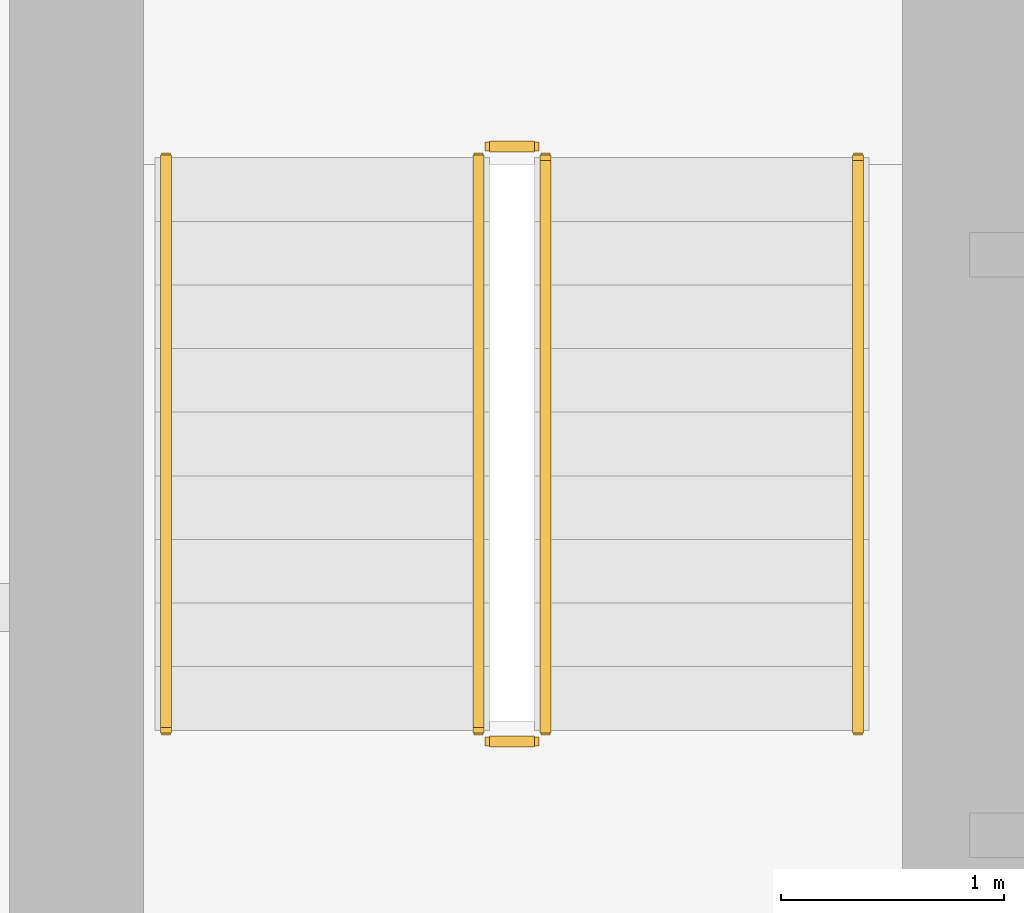
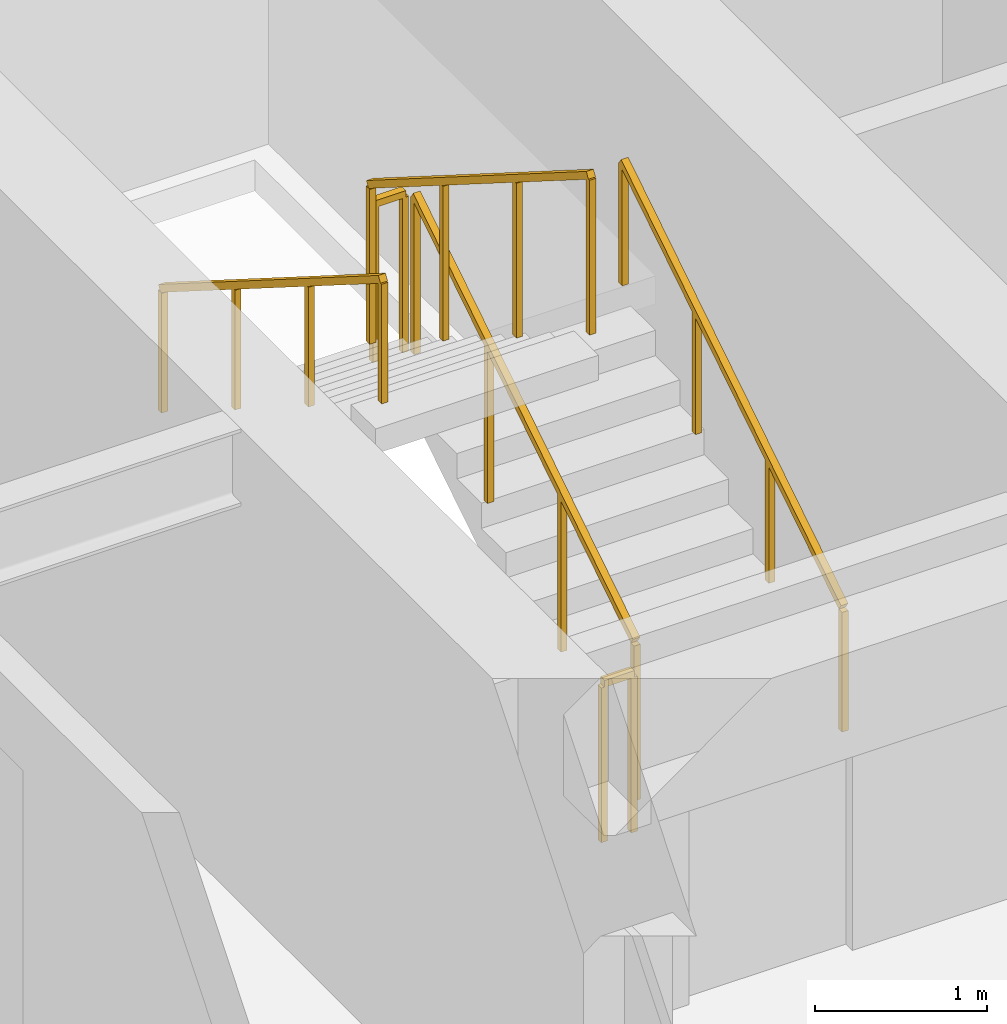
# One storey, part 24 of 26: 6 railings.
"""IFC4 building model written with IfcOpenShell, lengths in metres."""

from ifc_helpers import new_model, si_unit, direction, frame, origin, origin_2d, place, context, subcontext, project, spatial, rectangle, extrude, material, type_object, element, save


model = new_model("IFC4")

# Units and contexts
model_context = context("Model", 3, precision=1e-05, world=origin(), true_north=direction((0.0, 1.0)))
body_context = subcontext(model_context, "Body", "Model", "MODEL_VIEW")
ifc_project = project(units=[si_unit("LENGTHUNIT", "METRE"), si_unit("AREAUNIT", "SQUARE_METRE"), si_unit("VOLUMEUNIT", "CUBIC_METRE"), si_unit("PLANEANGLEUNIT", "RADIAN"), si_unit("MASSUNIT", "GRAM", prefix="KILO")], contexts=[model_context])

# Site, building, storey
site_placement = place(None, origin())
site = spatial("IfcSite", under=ifc_project, at=site_placement, CompositionType="ELEMENT")
building_placement = place(site_placement, origin())
building = spatial("IfcBuilding", under=site, at=building_placement, Name="Sarneth Arch Tower", CompositionType="ELEMENT")
storey_placement = place(building_placement, frame((0.0, 0.0, 39.0)))
storey = spatial("IfcBuildingStorey", under=building, at=storey_placement, Name="L08", CompositionType="ELEMENT", Elevation=39.0)

# Railings
ifc_material_1 = material(Name="Brushed Stainless Steel 304 tubular handrail", Category="steel")
railing_type_1 = type_object("IfcRailingType", Name="RAIL-HANDRAIL-900", PredefinedType="HANDRAIL", material=ifc_material_1)
railing_1_placement = place(storey_placement, frame((40.5, 41.449951171875, 0.179931640625)))
element("IfcRailing", 1, at=railing_1_placement, inside=storey, type_object=railing_type_1, Name="L08 ST-1 stair handrail 1", PredefinedType="HANDRAIL", context=body_context, shape_type="SweptSolid", body=[
    extrude(rectangle(XDim=0.048095703125, YDim=0.048095703125, at=origin_2d()), frame((0.0, 0.0, 0.8759765625), z_axis=(0.0, 0.845465955043, 0.534029323973), x_axis=(-1.0, 0.0, 0.0)), (0.0, 0.0, 1.0), 3.03369140625),
    extrude(rectangle(XDim=0.0419921875, YDim=0.0419921875, at=origin_2d()), origin(), (0.0, 0.0, 1.0), 0.851806640625),
    extrude(rectangle(XDim=0.0419921875, YDim=0.0419921875, at=origin_2d()), frame((0.0, 0.85498046875, 0.5400390625)), (0.0, 0.0, 1.0), 0.851806640625),
    extrude(rectangle(XDim=0.0419921875, YDim=0.0419921875, at=origin_2d()), frame((0.0, 1.7099609375, 1.080078125)), (0.0, 0.0, 1.0), 0.851806640625),
    extrude(rectangle(XDim=0.0419921875, YDim=0.0419921875, at=origin_2d()), frame((0.0, 2.56494140625, 1.6201171875)), (0.0, 0.0, 1.0), 0.851806640625),
])
railing_2_placement = place(storey_placement, frame((37.39990234375, 44.014892578125, 1.97998046875)))
element("IfcRailing", 2, at=railing_2_placement, inside=storey, type_object=railing_type_1, Name="L08 ST-1 stair handrail 2", PredefinedType="HANDRAIL", context=body_context, shape_type="SweptSolid", body=[
    extrude(rectangle(XDim=0.048095703125, YDim=0.048095703125, at=origin_2d()), frame((0.0, 0.0, 0.8759765625), z_axis=(0.0, -0.845465955043, 0.534029323973), x_axis=(1.0, 0.0, 0.0)), (0.0, 0.0, 1.0), 3.03369140625),
    extrude(rectangle(XDim=0.0419921875, YDim=0.0419921875, at=origin_2d()), origin(), (0.0, 0.0, 1.0), 0.851806640625),
    extrude(rectangle(XDim=0.0419921875, YDim=0.0419921875, at=origin_2d()), frame((0.0, -0.85498046875, 0.5400390625)), (0.0, 0.0, 1.0), 0.851806640625),
    extrude(rectangle(XDim=0.0419921875, YDim=0.0419921875, at=origin_2d()), frame((0.0, -1.7099609375, 1.080078125)), (0.0, 0.0, 1.0), 0.851806640625),
    extrude(rectangle(XDim=0.0419921875, YDim=0.0419921875, at=origin_2d()), frame((0.0, -2.56494140625, 1.6201171875)), (0.0, 0.0, 1.0), 0.851806640625),
])
ifc_material_2 = material(Name="Painted Steel S275 stair well guard", Category="steel")
railing_type_2 = type_object("IfcRailingType", Name="RAIL-STAIR-GUARD", PredefinedType="GUARDRAIL", material=ifc_material_2)
railing_3_placement = place(storey_placement, frame((39.10009765625, 41.449951171875, 0.179931640625)))
element("IfcRailing", 3, at=railing_3_placement, inside=storey, type_object=railing_type_2, Name="L08 ST-1 stair guard 1", PredefinedType="GUARDRAIL", context=body_context, shape_type="SweptSolid", body=[
    extrude(rectangle(XDim=0.048095703125, YDim=0.048095703125, at=origin_2d()), frame((0.0, 0.0, 1.1259765625), z_axis=(0.0, 0.845465955043, 0.534029323973), x_axis=(-1.0, 0.0, 0.0)), (0.0, 0.0, 1.0), 3.03369140625),
    extrude(rectangle(XDim=0.0419921875, YDim=0.0419921875, at=origin_2d()), origin(), (0.0, 0.0, 1.0), 1.101806640625),
    extrude(rectangle(XDim=0.0419921875, YDim=0.0419921875, at=origin_2d()), frame((0.0, 0.85498046875, 0.5400390625)), (0.0, 0.0, 1.0), 1.101806640625),
    extrude(rectangle(XDim=0.0419921875, YDim=0.0419921875, at=origin_2d()), frame((0.0, 1.7099609375, 1.080078125)), (0.0, 0.0, 1.0), 1.101806640625),
    extrude(rectangle(XDim=0.0419921875, YDim=0.0419921875, at=origin_2d()), frame((0.0, 2.56494140625, 1.6201171875)), (0.0, 0.0, 1.0), 1.101806640625),
])
railing_4_placement = place(storey_placement, frame((39.050048828125, 44.06494140625, 1.800048828125)))
element("IfcRailing", 4, at=railing_4_placement, inside=storey, type_object=railing_type_2, Name="L08 ST-1 stair guard 2", PredefinedType="GUARDRAIL", context=body_context, shape_type="SweptSolid", body=[
    extrude(rectangle(XDim=0.048095703125, YDim=0.048095703125, at=origin_2d()), frame((0.0, 0.0, 1.1259765625), z_axis=(-1.0, 0.0, 0.0), x_axis=(0.0, -1.0, 0.0)), (0.0, 0.0, 1.0), 0.199951171875),
    extrude(rectangle(XDim=0.0419921875, YDim=0.0419921875, at=origin_2d()), origin(), (0.0, 0.0, 1.0), 1.101806640625),
    extrude(rectangle(XDim=0.0419921875, YDim=0.0419921875, at=origin_2d()), frame((-0.199951171875, 0.0, 0.0)), (0.0, 0.0, 1.0), 1.101806640625),
])
railing_5_placement = place(storey_placement, frame((38.800048828125, 44.014892578125, 1.97998046875)))
element("IfcRailing", 5, at=railing_5_placement, inside=storey, type_object=railing_type_2, Name="L08 ST-1 stair guard 3", PredefinedType="GUARDRAIL", context=body_context, shape_type="SweptSolid", body=[
    extrude(rectangle(XDim=0.048095703125, YDim=0.048095703125, at=origin_2d()), frame((0.0, 0.0, 1.1259765625), z_axis=(0.0, -0.845465955043, 0.534029323973), x_axis=(1.0, 0.0, 0.0)), (0.0, 0.0, 1.0), 3.03369140625),
    extrude(rectangle(XDim=0.0419921875, YDim=0.0419921875, at=origin_2d()), origin(), (0.0, 0.0, 1.0), 1.101806640625),
    extrude(rectangle(XDim=0.0419921875, YDim=0.0419921875, at=origin_2d()), frame((0.0, -0.85498046875, 0.5400390625)), (0.0, 0.0, 1.0), 1.101806640625),
    extrude(rectangle(XDim=0.0419921875, YDim=0.0419921875, at=origin_2d()), frame((0.0, -1.7099609375, 1.080078125)), (0.0, 0.0, 1.0), 1.101806640625),
    extrude(rectangle(XDim=0.0419921875, YDim=0.0419921875, at=origin_2d()), frame((0.0, -2.56494140625, 1.6201171875)), (0.0, 0.0, 1.0), 1.101806640625),
])
railing_6_placement = place(storey_placement, frame((39.050048828125, 41.39990234375, 0.0)))
element("IfcRailing", 6, at=railing_6_placement, inside=storey, type_object=railing_type_2, Name="L08 ST-1 stair guard 4", PredefinedType="GUARDRAIL", context=body_context, shape_type="SweptSolid", body=[
    extrude(rectangle(XDim=0.048095703125, YDim=0.048095703125, at=origin_2d()), frame((0.0, 0.0, 1.1259765625), z_axis=(-1.0, 0.0, 0.0), x_axis=(0.0, -1.0, 0.0)), (0.0, 0.0, 1.0), 0.199951171875),
    extrude(rectangle(XDim=0.0419921875, YDim=0.0419921875, at=origin_2d()), origin(), (0.0, 0.0, 1.0), 1.101806640625),
    extrude(rectangle(XDim=0.0419921875, YDim=0.0419921875, at=origin_2d()), frame((-0.199951171875, 0.0, 0.0)), (0.0, 0.0, 1.0), 1.101806640625),
])

save(model, "model.ifc")
